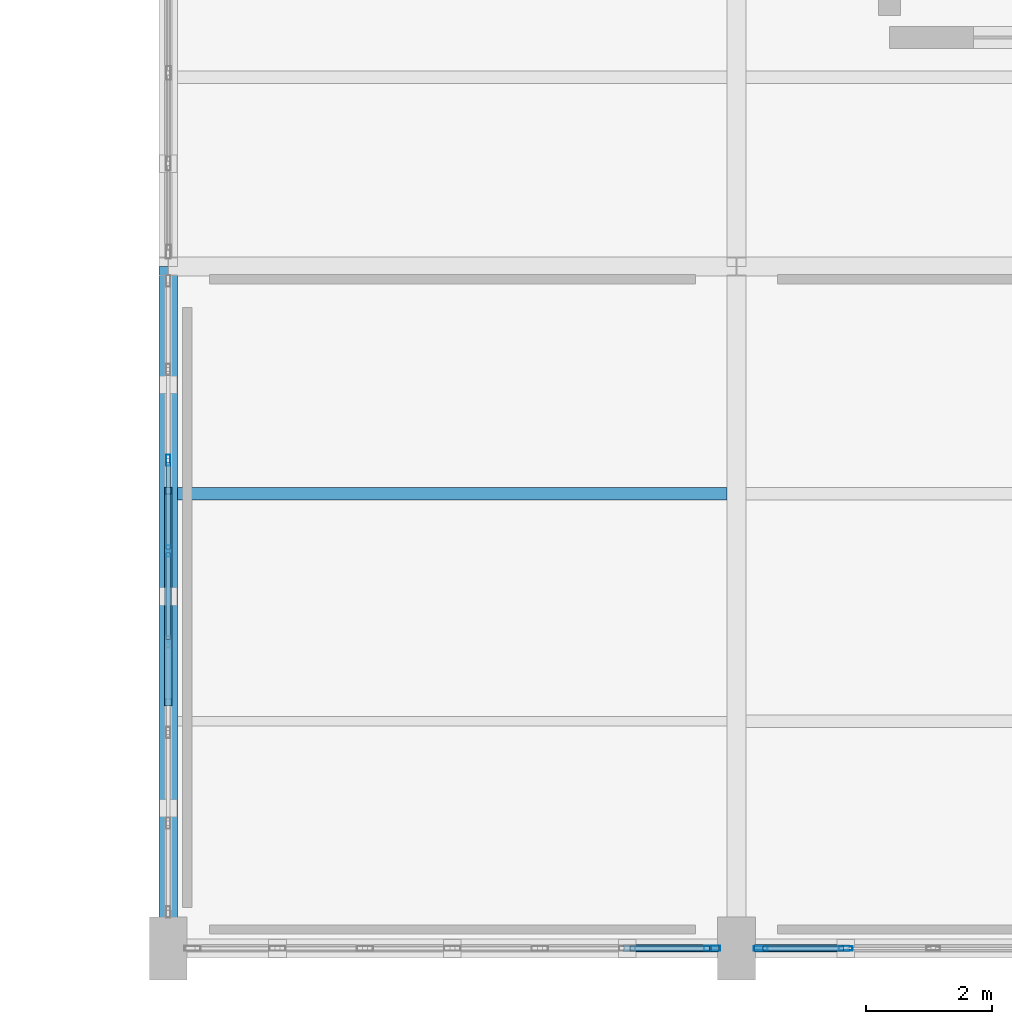
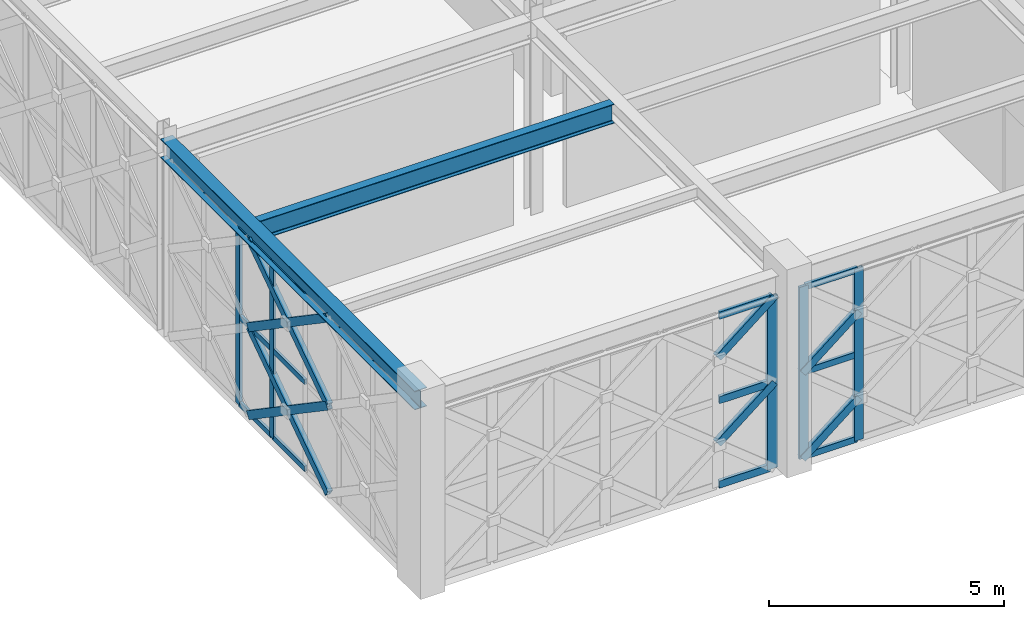
# One storey, part 33 of 155: 27 members, 2 beams, 3 elements without a shape of their own.
"""IFC4 building model written with IfcOpenShell, lengths in metres."""

from ifc_helpers import new_model, si_unit, direction, frame, origin, origin_2d, place, context, subcontext, project, spatial, hollow_rectangle, i_section, extrude, material, material_profile, profile_set, type_object, element, aggregate, save


model = new_model("IFC4")

# Units and contexts
model_context = context("Model", 3, precision=1e-05, world=origin(), true_north=direction((0.0, 1.0)))
body_context = subcontext(model_context, "Body", "Model", "MODEL_VIEW")
ifc_project = project(units=[si_unit("LENGTHUNIT", "METRE"), si_unit("AREAUNIT", "SQUARE_METRE"), si_unit("VOLUMEUNIT", "CUBIC_METRE"), si_unit("PLANEANGLEUNIT", "RADIAN"), si_unit("MASSUNIT", "GRAM", prefix="KILO")], contexts=[model_context])

# Site, building, storey
site_placement = place(None, origin())
site = spatial("IfcSite", under=ifc_project, at=site_placement, CompositionType="ELEMENT")
building_placement = place(site_placement, origin())
building = spatial("IfcBuilding", under=site, at=building_placement, Name="Haizhuo Lancet Aquarium", CompositionType="ELEMENT")
storey_placement = place(building_placement, frame((0.0, 0.0, 10.800048828125)))
storey = spatial("IfcBuildingStorey", under=building, at=storey_placement, Name="L02", CompositionType="ELEMENT", Elevation=10.800048828125)

# Beam
ifc_material_1 = material(Name="Steel S355", Category="steel")
ifc_material_profile_1 = material_profile(ifc_material_1, i_section(OverallWidth=0.300048828125, OverallDepth=0.488037109375, WebThickness=0.010986328125, FlangeThickness=0.01806640625, FilletRadius=0.02392578125, at=origin_2d()), Name="HM 488x300x11x18")
ifc_profile_set_1 = profile_set([ifc_material_profile_1], Name="Steel S355")
beam_type_1 = type_object("IfcBeamType", Name="BM-ST-HM488", PredefinedType="BEAM", material=ifc_profile_set_1)
beam_1_placement = place(storey_placement, frame((-18.0, -55.800048828125, 4.805908203125), z_axis=(0.0, 1.0, 0.0), x_axis=(-1.0, 0.0, 0.0)))
element("IfcBeam", 1, at=beam_1_placement, inside=storey, type_object=beam_type_1, Name="L02 V4 primary girder BM-L02-V4-001", PredefinedType="BEAM", context=body_context, shape_type="SweptSolid", body=[
    extrude(i_section(OverallWidth=0.300048828125, OverallDepth=0.488037109375, WebThickness=0.010986328125, FlangeThickness=0.01806640625, FilletRadius=0.02392578125, at=origin_2d()), origin(), (0.0, 0.0, 1.0), 10.800048828125),
])

# Curtain wall, members
ifc_material_2 = material(Name="Aluminium 6063-T6", Category="aluminium")
curtain_wall_type_1 = type_object("IfcCurtainWallType", Name="CWO-10060x4560", PredefinedType="NOTDEFINED", material=ifc_material_2)
curtain_wall_1_placement = place(storey_placement, origin())
curtain_wall_1 = element("IfcCurtainWall", 2, at=curtain_wall_1_placement, inside=storey, type_object=curtain_wall_type_1, Name="L02 curtain wall CW-V4-L02-112", PredefinedType="NOTDEFINED")
ifc_material_profile_2 = material_profile(ifc_material_2, hollow_rectangle(XDim=0.06494140625, YDim=0.179931640625, WallThickness=0.00390625, at=origin_2d()), Name="ALU-M 65x180x4")
ifc_profile_set_2 = profile_set([ifc_material_profile_2], Name="Aluminium 6063-T6")
member_type_1 = type_object("IfcMemberType", Name="CW-MUL-1", PredefinedType="MULLION", material=ifc_profile_set_2)
member_1_placement = place(storey_placement, frame((-18.0, -49.506103515625, 0.0), z_axis=(0.0, 0.0, 1.0), x_axis=(-1.0, 0.0, 0.0)))
member_1 = element("IfcMember", 3, at=member_1_placement, type_object=member_type_1, Name="CWO-100x45 mullion 5", PredefinedType="MULLION", context=body_context, shape_type="SweptSolid", body=[
    extrude(hollow_rectangle(XDim=0.06494140625, YDim=0.179931640625, WallThickness=0.00390625, at=origin_2d()), origin(), (0.0, 0.0, 1.0), 4.56201171875),
])
member_2_placement = place(storey_placement, frame((-18.0, -48.069091796875, 0.0), z_axis=(0.0, 0.0, 1.0), x_axis=(-1.0, 0.0, 0.0)))
member_2 = element("IfcMember", 4, at=member_2_placement, type_object=member_type_1, Name="CWO-100x45 mullion 6", PredefinedType="MULLION", context=body_context, shape_type="SweptSolid", body=[
    extrude(hollow_rectangle(XDim=0.06494140625, YDim=0.179931640625, WallThickness=0.00390625, at=origin_2d()), origin(), (0.0, 0.0, 1.0), 4.56201171875),
])

curtain_wall_type_2 = type_object("IfcCurtainWallType", Name="CWO-8310x4460", PredefinedType="NOTDEFINED", material=ifc_material_2)
curtain_wall_2_placement = place(storey_placement, origin())
curtain_wall_2 = element("IfcCurtainWall", 5, at=curtain_wall_2_placement, inside=storey, type_object=curtain_wall_type_2, Name="L02 curtain wall CW-V4-L02-110", PredefinedType="NOTDEFINED")
ifc_material_profile_3 = material_profile(ifc_material_2, hollow_rectangle(XDim=0.074951171875, YDim=0.219970703125, WallThickness=0.0048828125, at=origin_2d()), Name="ALU-M 75x220x5")
ifc_profile_set_3 = profile_set([ifc_material_profile_3], Name="Aluminium 6063-T6")
member_type_2 = type_object("IfcMemberType", Name="CW-MUL-2", PredefinedType="MULLION", material=ifc_profile_set_3)
member_3_placement = place(storey_placement, frame((-7.27001953125, -55.800048828125, 0.0), z_axis=(0.0, 0.0, 1.0), x_axis=(0.0, -1.0, 0.0)))
member_3 = element("IfcMember", 6, at=member_3_placement, type_object=member_type_2, Name="CWO-83x44 mullion 6", PredefinedType="MULLION", context=body_context, shape_type="SweptSolid", body=[
    extrude(hollow_rectangle(XDim=0.074951171875, YDim=0.219970703125, WallThickness=0.0048828125, at=origin_2d()), origin(), (0.0, 0.0, 1.0), 4.4619140625),
])
member_4_placement = place(storey_placement, frame((-8.616943359375, -55.800048828125, 0.0), z_axis=(0.0, 0.0, 1.0), x_axis=(0.0, -1.0, 0.0)))
member_4 = element("IfcMember", 7, at=member_4_placement, type_object=member_type_2, Name="CWO-83x44 mullion 7", PredefinedType="MULLION", context=body_context, shape_type="SweptSolid", body=[
    extrude(hollow_rectangle(XDim=0.074951171875, YDim=0.219970703125, WallThickness=0.0048828125, at=origin_2d()), origin(), (0.0, 0.0, 1.0), 4.4619140625),
])

# Curtain wall, member
curtain_wall_3_placement = place(storey_placement, origin())
curtain_wall_3 = element("IfcCurtainWall", 8, at=curtain_wall_3_placement, inside=storey, type_object=curtain_wall_type_2, Name="L02 curtain wall CW-V4-L02-111", PredefinedType="NOTDEFINED")
ifc_material_profile_4 = material_profile(ifc_material_2, hollow_rectangle(XDim=0.080078125, YDim=0.260009765625, WallThickness=0.0048828125, at=origin_2d()), Name="ALU-M 80x260x5")
ifc_profile_set_4 = profile_set([ifc_material_profile_4], Name="Aluminium 6063-T6")
member_type_3 = type_object("IfcMemberType", Name="CW-MUL-3", PredefinedType="MULLION", material=ifc_profile_set_4)
member_5_placement = place(storey_placement, frame((-9.385009765625, -55.800048828125, 0.0), z_axis=(0.0, 0.0, 1.0), x_axis=(0.0, -1.0, 0.0)))
member_5 = element("IfcMember", 9, at=member_5_placement, type_object=member_type_3, Name="CWO-83x44 mullion 1", PredefinedType="MULLION", context=body_context, shape_type="SweptSolid", body=[
    extrude(hollow_rectangle(XDim=0.080078125, YDim=0.260009765625, WallThickness=0.0048828125, at=origin_2d()), origin(), (0.0, 0.0, 1.0), 4.4619140625),
])

# Member
ifc_material_profile_5 = material_profile(ifc_material_2, hollow_rectangle(XDim=0.06494140625, YDim=0.139892578125, WallThickness=0.00390625, at=origin_2d()), Name="ALU-T 65x140x4")
ifc_profile_set_5 = profile_set([ifc_material_profile_5], Name="Aluminium 6063-T6")
member_type_4 = type_object("IfcMemberType", Name="CW-TRN-1", PredefinedType="NOTDEFINED", material=ifc_profile_set_5)
member_6_placement = place(storey_placement, frame((-18.0, -50.910888671875, 0.032958984375), z_axis=(0.0, 1.0, 0.0), x_axis=(-1.0, 0.0, 0.0)))
member_6 = element("IfcMember", 10, at=member_6_placement, type_object=member_type_4, Name="CWO-100x45 transom 4.1", ObjectType="TRANSOM", PredefinedType="USERDEFINED", context=body_context, shape_type="SweptSolid", body=[
    extrude(hollow_rectangle(XDim=0.06494140625, YDim=0.139892578125, WallThickness=0.00390625, at=origin_2d()), origin(), (0.0, 0.0, 1.0), 1.371826171875),
])

member_7_placement = place(storey_placement, frame((-18.0, -50.910888671875, 2.281005859375), z_axis=(0.0, 1.0, 0.0), x_axis=(-1.0, 0.0, 0.0)))
member_7 = element("IfcMember", 11, at=member_7_placement, type_object=member_type_4, Name="CWO-100x45 transom 4.2", ObjectType="TRANSOM", PredefinedType="USERDEFINED", context=body_context, shape_type="SweptSolid", body=[
    extrude(hollow_rectangle(XDim=0.06494140625, YDim=0.139892578125, WallThickness=0.00390625, at=origin_2d()), origin(), (0.0, 0.0, 1.0), 1.371826171875),
])

member_8_placement = place(storey_placement, frame((-18.0, -50.910888671875, 4.529052734375), z_axis=(0.0, 1.0, 0.0), x_axis=(-1.0, 0.0, 0.0)))
member_8 = element("IfcMember", 12, at=member_8_placement, type_object=member_type_4, Name="CWO-100x45 transom 4.3", ObjectType="TRANSOM", PredefinedType="USERDEFINED", context=body_context, shape_type="SweptSolid", body=[
    extrude(hollow_rectangle(XDim=0.06494140625, YDim=0.139892578125, WallThickness=0.00390625, at=origin_2d()), origin(), (0.0, 0.0, 1.0), 1.371826171875),
])

member_9_placement = place(storey_placement, frame((-18.0, -49.47412109375, 0.032958984375), z_axis=(0.0, 1.0, 0.0), x_axis=(-1.0, 0.0, 0.0)))
member_9 = element("IfcMember", 13, at=member_9_placement, type_object=member_type_4, Name="CWO-100x45 transom 5.1", ObjectType="TRANSOM", PredefinedType="USERDEFINED", context=body_context, shape_type="SweptSolid", body=[
    extrude(hollow_rectangle(XDim=0.06494140625, YDim=0.139892578125, WallThickness=0.00390625, at=origin_2d()), origin(), (0.0, 0.0, 1.0), 1.3720703125),
])

member_10_placement = place(storey_placement, frame((-18.0, -49.47412109375, 2.281005859375), z_axis=(0.0, 1.0, 0.0), x_axis=(-1.0, 0.0, 0.0)))
member_10 = element("IfcMember", 14, at=member_10_placement, type_object=member_type_4, Name="CWO-100x45 transom 5.2", ObjectType="TRANSOM", PredefinedType="USERDEFINED", context=body_context, shape_type="SweptSolid", body=[
    extrude(hollow_rectangle(XDim=0.06494140625, YDim=0.139892578125, WallThickness=0.00390625, at=origin_2d()), origin(), (0.0, 0.0, 1.0), 1.3720703125),
])

member_11_placement = place(storey_placement, frame((-18.0, -49.47412109375, 4.529052734375), z_axis=(0.0, 1.0, 0.0), x_axis=(-1.0, 0.0, 0.0)))
member_11 = element("IfcMember", 15, at=member_11_placement, type_object=member_type_4, Name="CWO-100x45 transom 5.3", ObjectType="TRANSOM", PredefinedType="USERDEFINED", context=body_context, shape_type="SweptSolid", body=[
    extrude(hollow_rectangle(XDim=0.06494140625, YDim=0.139892578125, WallThickness=0.00390625, at=origin_2d()), origin(), (0.0, 0.0, 1.0), 1.3720703125),
])

aggregate(curtain_wall_1, [member_1, member_2, member_6, member_7, member_8, member_9, member_10, member_11])

ifc_material_profile_6 = material_profile(ifc_material_2, hollow_rectangle(XDim=0.074951171875, YDim=0.159912109375, WallThickness=0.00390625, at=origin_2d()), Name="ALU-T 75x160x4")
ifc_profile_set_6 = profile_set([ifc_material_profile_6], Name="Aluminium 6063-T6")
member_type_5 = type_object("IfcMemberType", Name="CW-TRN-2", PredefinedType="NOTDEFINED", material=ifc_profile_set_6)
member_12_placement = place(storey_placement, frame((-7.306884765625, -55.800048828125, 0.037841796875), z_axis=(-1.0, 0.0, 0.0), x_axis=(0.0, -1.0, 0.0)))
member_12 = element("IfcMember", 16, at=member_12_placement, type_object=member_type_5, Name="CWO-83x44 transom 6.1", ObjectType="TRANSOM", PredefinedType="USERDEFINED", context=body_context, shape_type="SweptSolid", body=[
    extrude(hollow_rectangle(XDim=0.074951171875, YDim=0.159912109375, WallThickness=0.00390625, at=origin_2d()), origin(), (0.0, 0.0, 1.0), 1.273193359375),
])

member_13_placement = place(storey_placement, frame((-7.306884765625, -55.800048828125, 2.23095703125), z_axis=(-1.0, 0.0, 0.0), x_axis=(0.0, -1.0, 0.0)))
member_13 = element("IfcMember", 17, at=member_13_placement, type_object=member_type_5, Name="CWO-83x44 transom 6.2", ObjectType="TRANSOM", PredefinedType="USERDEFINED", context=body_context, shape_type="SweptSolid", body=[
    extrude(hollow_rectangle(XDim=0.074951171875, YDim=0.159912109375, WallThickness=0.00390625, at=origin_2d()), origin(), (0.0, 0.0, 1.0), 1.273193359375),
])

member_14_placement = place(storey_placement, frame((-7.306884765625, -55.800048828125, 4.425048828125), z_axis=(-1.0, 0.0, 0.0), x_axis=(0.0, -1.0, 0.0)))
member_14 = element("IfcMember", 18, at=member_14_placement, type_object=member_type_5, Name="CWO-83x44 transom 6.3", ObjectType="TRANSOM", PredefinedType="USERDEFINED", context=body_context, shape_type="SweptSolid", body=[
    extrude(hollow_rectangle(XDim=0.074951171875, YDim=0.159912109375, WallThickness=0.00390625, at=origin_2d()), origin(), (0.0, 0.0, 1.0), 1.273193359375),
])

aggregate(curtain_wall_2, [member_3, member_4, member_12, member_13, member_14])

ifc_material_profile_7 = material_profile(ifc_material_2, hollow_rectangle(XDim=0.080078125, YDim=0.18994140625, WallThickness=0.0048828125, at=origin_2d()), Name="ALU-T 80x190x5")
ifc_profile_set_7 = profile_set([ifc_material_profile_7], Name="Aluminium 6063-T6")
member_type_6 = type_object("IfcMemberType", Name="CW-TRN-3", PredefinedType="NOTDEFINED", material=ifc_profile_set_7)
member_15_placement = place(storey_placement, frame((-9.425048828125, -55.800048828125, 0.0400390625), z_axis=(-1.0, 0.0, 0.0), x_axis=(0.0, -1.0, 0.0)))
member_15 = element("IfcMember", 19, at=member_15_placement, type_object=member_type_6, Name="CWO-83x44 transom 1.1", ObjectType="TRANSOM", PredefinedType="USERDEFINED", context=body_context, shape_type="SweptSolid", body=[
    extrude(hollow_rectangle(XDim=0.080078125, YDim=0.18994140625, WallThickness=0.0048828125, at=origin_2d()), origin(), (0.0, 0.0, 1.0), 1.264892578125),
])

member_16_placement = place(storey_placement, frame((-9.425048828125, -55.800048828125, 2.23095703125), z_axis=(-1.0, 0.0, 0.0), x_axis=(0.0, -1.0, 0.0)))
member_16 = element("IfcMember", 20, at=member_16_placement, type_object=member_type_6, Name="CWO-83x44 transom 1.2", ObjectType="TRANSOM", PredefinedType="USERDEFINED", context=body_context, shape_type="SweptSolid", body=[
    extrude(hollow_rectangle(XDim=0.080078125, YDim=0.18994140625, WallThickness=0.0048828125, at=origin_2d()), origin(), (0.0, 0.0, 1.0), 1.264892578125),
])

member_17_placement = place(storey_placement, frame((-9.425048828125, -55.800048828125, 4.421875), z_axis=(-1.0, 0.0, 0.0), x_axis=(0.0, -1.0, 0.0)))
member_17 = element("IfcMember", 21, at=member_17_placement, type_object=member_type_6, Name="CWO-83x44 transom 1.3", ObjectType="TRANSOM", PredefinedType="USERDEFINED", context=body_context, shape_type="SweptSolid", body=[
    extrude(hollow_rectangle(XDim=0.080078125, YDim=0.18994140625, WallThickness=0.0048828125, at=origin_2d()), origin(), (0.0, 0.0, 1.0), 1.264892578125),
])

aggregate(curtain_wall_3, [member_5, member_15, member_16, member_17])

# Beam
ifc_material_profile_8 = material_profile(ifc_material_1, i_section(OverallWidth=0.199951171875, OverallDepth=0.5, WebThickness=0.010009765625, FlangeThickness=0.01611328125, FilletRadius=0.02001953125, at=origin_2d()), Name="HN 500x200x10x16")
ifc_profile_set_8 = profile_set([ifc_material_profile_8], Name="Steel S355")
beam_type_2 = type_object("IfcBeamType", Name="JST-ST-HN500", PredefinedType="JOIST", material=ifc_profile_set_8)
beam_2_placement = place(storey_placement, frame((-17.85009765625, -48.60009765625, 4.800048828125), z_axis=(1.0, 0.0, 0.0), x_axis=(0.0, 1.0, 0.0)))
element("IfcBeam", 22, at=beam_2_placement, inside=storey, type_object=beam_type_2, Name="L02 V4 secondary floor joist 2", PredefinedType="JOIST", context=body_context, shape_type="SweptSolid", body=[
    extrude(i_section(OverallWidth=0.199951171875, OverallDepth=0.5, WebThickness=0.010009765625, FlangeThickness=0.01611328125, FilletRadius=0.02001953125, at=origin_2d()), origin(), (0.0, 0.0, 1.0), 8.7001953125),
])

# Members
ifc_material_profile_9 = material_profile(ifc_material_1, hollow_rectangle(XDim=0.1201171875, YDim=0.199951171875, WallThickness=0.008056640625, at=origin_2d()), Name="RHS 120x200x8")
ifc_profile_set_9 = profile_set([ifc_material_profile_9], Name="Steel S355")
member_type_7 = type_object("IfcMemberType", Name="MEM-LB-RHS120x200", PredefinedType="BRACE", material=ifc_profile_set_9)
member_18_placement = place(storey_placement, frame((-8.655029296875, -55.800048828125, 0.0), z_axis=(0.77868125898, 0.0, 0.62741971352), x_axis=(0.0, 1.0, 0.0)))
element("IfcMember", 23, at=member_18_placement, inside=storey, type_object=member_type_7, Name="Gothic lancet split diagonal brace CW-V4-L02-110 5B1", PredefinedType="BRACE", context=body_context, shape_type="SweptSolid", body=[
    extrude(hollow_rectangle(XDim=0.1201171875, YDim=0.199951171875, WallThickness=0.008056640625, at=origin_2d()), origin(), (0.0, 0.0, 1.0), 1.778564453125),
])
for number, where, z_axis, x_axis, name in (
    (24, (-8.655029296875, -55.800048828125, 2.23095703125), (0.778949520963, 0.0, 0.627086631807), (0.0, 1.0, 0.0), "Gothic lancet split diagonal brace CW-V4-L02-110 6B1"),
    (25, (-10.72998046875, -55.800048828125, 1.115966796875), (0.778949520963, 0.0, 0.627086631807), (0.0, 1.0, 0.0), "Gothic lancet split diagonal brace CW-V4-L02-111 1B2"),
):
    element("IfcMember", number, at=place(storey_placement, frame(where, z_axis=z_axis, x_axis=x_axis)), inside=storey, type_object=member_type_7, Name=name, PredefinedType="BRACE", context=body_context, shape_type="SweptSolid", body=[
        extrude(hollow_rectangle(XDim=0.1201171875, YDim=0.199951171875, WallThickness=0.008056640625, at=origin_2d()), origin(), (0.0, 0.0, 1.0), 1.778076171875),
    ])
member_19_placement = place(storey_placement, frame((-10.72998046875, -55.800048828125, 3.345947265625), z_axis=(0.77868125898, 0.0, 0.62741971352), x_axis=(0.0, 1.0, 0.0)))
element("IfcMember", 26, at=member_19_placement, inside=storey, type_object=member_type_7, Name="Gothic lancet split diagonal brace CW-V4-L02-111 2B2", PredefinedType="BRACE", context=body_context, shape_type="SweptSolid", body=[
    extrude(hollow_rectangle(XDim=0.1201171875, YDim=0.199951171875, WallThickness=0.008056640625, at=origin_2d()), origin(), (0.0, 0.0, 1.0), 1.778564453125),
])
member_20_placement = place(storey_placement, frame((-18.0, -51.902099609375, 0.0), z_axis=(0.0, 0.826894034819, 0.562357764399), x_axis=(-1.0, 0.0, 0.0)))
element("IfcMember", 27, at=member_20_placement, inside=storey, type_object=member_type_7, Name="Gothic lancet continuous diagonal brace CW-V4-L02-112 3A", PredefinedType="BRACE", context=body_context, shape_type="SweptSolid", body=[
    extrude(hollow_rectangle(XDim=0.1201171875, YDim=0.199951171875, WallThickness=0.008056640625, at=origin_2d()), origin(), (0.0, 0.0, 1.0), 4.05615234375),
])
member_21_placement = place(storey_placement, frame((-18.0, -48.548095703125, 0.0), z_axis=(0.0, -0.826810066836, 0.562481211578), x_axis=(1.0, 0.0, 0.0)))
element("IfcMember", 28, at=member_21_placement, inside=storey, type_object=member_type_7, Name="Gothic lancet split diagonal brace CW-V4-L02-112 3B1", PredefinedType="BRACE", context=body_context, shape_type="SweptSolid", body=[
    extrude(hollow_rectangle(XDim=0.1201171875, YDim=0.199951171875, WallThickness=0.008056640625, at=origin_2d()), origin(), (0.0, 0.0, 1.0), 2.0283203125),
])
member_22_placement = place(storey_placement, frame((-18.0, -50.22509765625, 1.140869140625), z_axis=(0.0, -0.82697800142, 0.562234279609), x_axis=(1.0, 0.0, 0.0)))
element("IfcMember", 29, at=member_22_placement, inside=storey, type_object=member_type_7, Name="Gothic lancet split diagonal brace CW-V4-L02-112 3B2", PredefinedType="BRACE", context=body_context, shape_type="SweptSolid", body=[
    extrude(hollow_rectangle(XDim=0.1201171875, YDim=0.199951171875, WallThickness=0.008056640625, at=origin_2d()), origin(), (0.0, 0.0, 1.0), 2.02783203125),
])
member_23_placement = place(storey_placement, frame((-18.0, -51.902099609375, 2.281005859375), z_axis=(0.0, 0.826894034819, 0.562357764399), x_axis=(-1.0, 0.0, 0.0)))
element("IfcMember", 30, at=member_23_placement, inside=storey, type_object=member_type_7, Name="Gothic lancet continuous diagonal brace CW-V4-L02-112 4A", PredefinedType="BRACE", context=body_context, shape_type="SweptSolid", body=[
    extrude(hollow_rectangle(XDim=0.1201171875, YDim=0.199951171875, WallThickness=0.008056640625, at=origin_2d()), origin(), (0.0, 0.0, 1.0), 4.05615234375),
])
member_24_placement = place(storey_placement, frame((-18.0, -48.548095703125, 2.281005859375), z_axis=(0.0, -0.82703397838, 0.562151935516), x_axis=(1.0, 0.0, 0.0)))
element("IfcMember", 31, at=member_24_placement, inside=storey, type_object=member_type_7, Name="Gothic lancet split diagonal brace CW-V4-L02-112 4B1", PredefinedType="BRACE", context=body_context, shape_type="SweptSolid", body=[
    extrude(hollow_rectangle(XDim=0.1201171875, YDim=0.199951171875, WallThickness=0.008056640625, at=origin_2d()), origin(), (0.0, 0.0, 1.0), 2.02783203125),
])
member_25_placement = place(storey_placement, frame((-18.0, -50.22509765625, 3.4208984375), z_axis=(0.0, -0.826754087419, 0.562563488804), x_axis=(1.0, 0.0, 0.0)))
element("IfcMember", 32, at=member_25_placement, inside=storey, type_object=member_type_7, Name="Gothic lancet split diagonal brace CW-V4-L02-112 4B2", PredefinedType="BRACE", context=body_context, shape_type="SweptSolid", body=[
    extrude(hollow_rectangle(XDim=0.1201171875, YDim=0.199951171875, WallThickness=0.008056640625, at=origin_2d()), origin(), (0.0, 0.0, 1.0), 2.0283203125),
])

save(model, "model.ifc")
